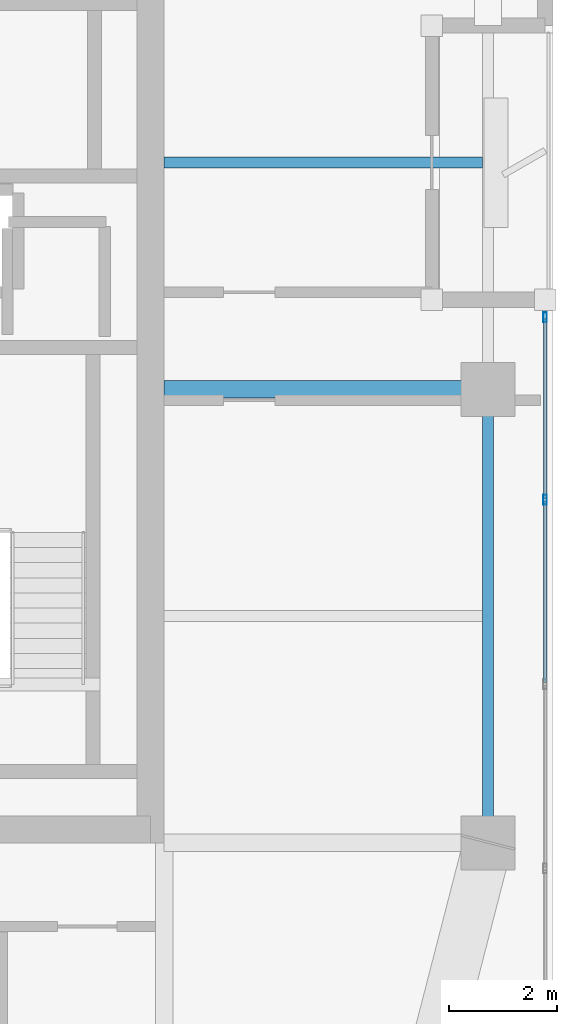
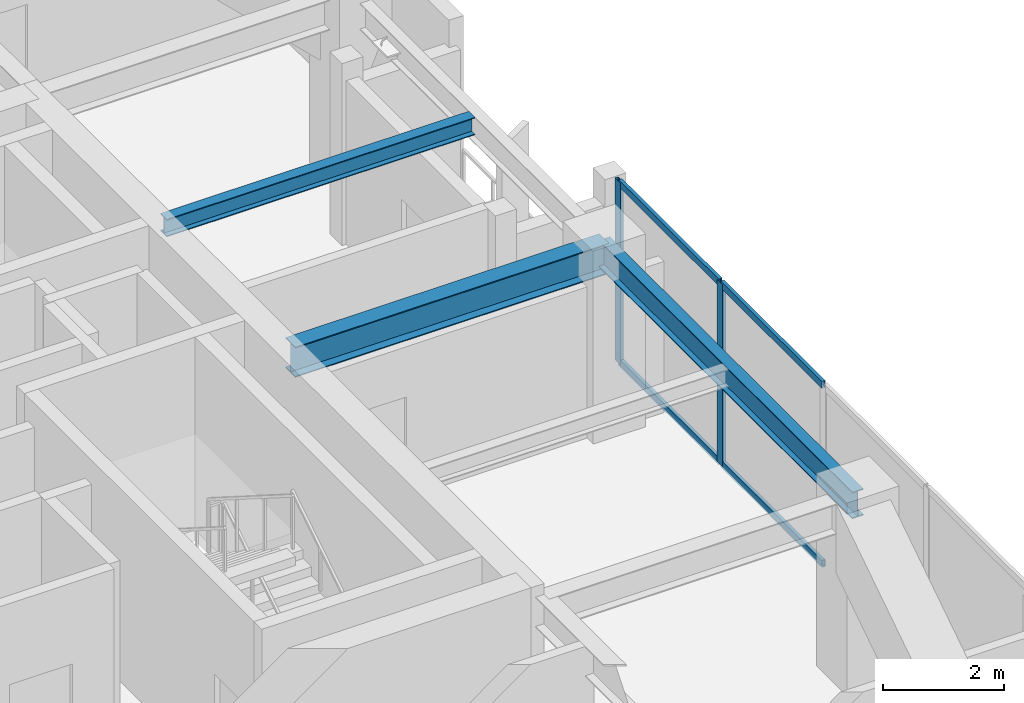
# One storey, part 6 of 16: 6 members, 3 beams, 1 element without a shape of its own.
"""IFC4 building model written with IfcOpenShell, lengths in metres."""

from ifc_helpers import new_model, si_unit, direction, frame, origin, origin_2d, place, context, subcontext, project, spatial, hollow_rectangle, i_section, extrude, material, layer, layer_set, material_profile, profile_set, type_object, element, aggregate, save


model = new_model("IFC4")

# Units and contexts
model_context = context("Model", 3, precision=1e-05, world=origin(), true_north=direction((0.0, 1.0)))
body_context = subcontext(model_context, "Body", "Model", "MODEL_VIEW")
ifc_project = project(units=[si_unit("LENGTHUNIT", "METRE"), si_unit("AREAUNIT", "SQUARE_METRE"), si_unit("VOLUMEUNIT", "CUBIC_METRE"), si_unit("PLANEANGLEUNIT", "RADIAN"), si_unit("MASSUNIT", "GRAM", prefix="KILO")], contexts=[model_context])

# Site, building, storey
site_placement = place(None, origin())
site = spatial("IfcSite", under=ifc_project, at=site_placement, CompositionType="ELEMENT")
building_placement = place(site_placement, origin())
building = spatial("IfcBuilding", under=site, at=building_placement, Name="Kiyonajd Concourse Tower", CompositionType="ELEMENT")
storey_placement = place(building_placement, frame((0.0, 0.0, 298.5)))
storey = spatial("IfcBuildingStorey", under=building, at=storey_placement, Name="L75", CompositionType="ELEMENT", Elevation=298.5)

# Beams
ifc_material_1 = material(Name="Steel ASTM A992 Grade 50", Category="steel")
ifc_material_profile_1 = material_profile(ifc_material_1, i_section(OverallWidth=0.205078125, OverallDepth=0.35400390625, WebThickness=0.009521484375, FlangeThickness=0.016845703125, at=origin_2d()), Name="W360X79")
ifc_profile_set_1 = profile_set([ifc_material_profile_1], Name="Steel ASTM A992 Grade 50")
beam_type_1 = type_object("IfcBeamType", Name="BM-JST-360", PredefinedType="JOIST", material=ifc_profile_set_1)
beam_1_placement = place(storey_placement, frame((63.60009765625, 40.199951171875, 3.5029296875), z_axis=(1.0, 0.0, 0.0), x_axis=(0.0, 1.0, 0.0)))
element("IfcBeam", 1, at=beam_1_placement, inside=storey, type_object=beam_type_1, Name="L75 East Secondary Floor Joist", PredefinedType="JOIST", context=body_context, shape_type="SweptSolid", body=[
    extrude(i_section(OverallWidth=0.205078125, OverallDepth=0.35400390625, WebThickness=0.009521484375, FlangeThickness=0.016845703125, at=origin_2d()), origin(), (0.0, 0.0, 1.0), 5.894287109375),
])
ifc_material_profile_2 = material_profile(ifc_material_1, i_section(OverallWidth=0.2109375, OverallDepth=0.5390625, WebThickness=0.01171875, FlangeThickness=0.018798828125, at=origin_2d()), Name="W530X109")
ifc_profile_set_2 = profile_set([ifc_material_profile_2], Name="Steel ASTM A992 Grade 50")
beam_type_2 = type_object("IfcBeamType", Name="BM-SPAN-530B", PredefinedType="SPANDREL", material=ifc_profile_set_2)
beam_2_placement = place(storey_placement, frame((69.60009765625, 27.60009765625, 3.410400390625), z_axis=(0.0, 1.0, 0.0), x_axis=(-1.0, 0.0, 0.0)))
element("IfcBeam", 2, at=beam_2_placement, inside=storey, type_object=beam_type_2, Name="L75 Perimeter Bundled Tube Spandrel", PredefinedType="SPANDREL", context=body_context, shape_type="SweptSolid", body=[
    extrude(i_section(OverallWidth=0.2109375, OverallDepth=0.5390625, WebThickness=0.01171875, FlangeThickness=0.018798828125, at=origin_2d()), origin(), (0.0, 0.0, 1.0), 8.39990234375),
])
ifc_material_profile_3 = material_profile(ifc_material_1, i_section(OverallWidth=0.323974609375, OverallDepth=0.611083984375, WebThickness=0.0126953125, FlangeThickness=0.01904296875, at=origin_2d()), Name="W610X155")
ifc_profile_set_3 = profile_set([ifc_material_profile_3], Name="Steel ASTM A992 Grade 50")
beam_type_3 = type_object("IfcBeamType", Name="BM-TWR-610B", PredefinedType="BEAM", material=ifc_profile_set_3)
beam_3_placement = place(storey_placement, frame((63.60009765625, 36.0, 3.37451171875), z_axis=(1.0, 0.0, 0.0), x_axis=(0.0, 1.0, 0.0)))
element("IfcBeam", 3, at=beam_3_placement, inside=storey, type_object=beam_type_3, Name="L75 East Lease Girder", PredefinedType="BEAM", context=body_context, shape_type="SweptSolid", body=[
    extrude(i_section(OverallWidth=0.323974609375, OverallDepth=0.611083984375, WebThickness=0.0126953125, FlangeThickness=0.01904296875, at=origin_2d()), origin(), (0.0, 0.0, 1.0), 6.0),
])

# Curtain wall, members
ifc_material_2 = material(Name="Thermally Broken Anodised Aluminium", Category="aluminium")
ifc_layer = layer(ifc_material_2, 0.179931640625)
ifc_layer_set = layer_set([ifc_layer], Name="Thermally Broken Anodised Aluminium")
curtain_wall_type = type_object("IfcCurtainWallType", Name="CW-SYS-04", PredefinedType="NOTDEFINED", material=ifc_layer_set)
curtain_wall_placement = place(storey_placement, origin())
curtain_wall = element("IfcCurtainWall", 4, at=curtain_wall_placement, inside=storey, type_object=curtain_wall_type, Name="L75 Unitised Curtain Wall CW4", PredefinedType="NOTDEFINED")
ifc_material_profile_4 = material_profile(ifc_material_2, hollow_rectangle(XDim=0.06494140625, YDim=0.179931640625, WallThickness=0.00390625, at=origin_2d()), Name="MULL-65x180")
ifc_profile_set_4 = profile_set([ifc_material_profile_4], Name="Thermally Broken Anodised Aluminium")
member_type_1 = type_object("IfcMemberType", Name="MB-CW-MULL1", PredefinedType="MULLION", material=ifc_profile_set_4)
member_1_placement = place(storey_placement, frame((70.659912109375, 37.33740234375, 0.0), z_axis=(0.0, 0.0, 1.0), x_axis=(1.0, 0.0, 0.0)))
member_1 = element("IfcMember", 5, at=member_1_placement, type_object=member_type_1, Name="CW4 mullion 1", PredefinedType="MULLION", context=body_context, shape_type="SweptSolid", body=[
    extrude(hollow_rectangle(XDim=0.06494140625, YDim=0.179931640625, WallThickness=0.00390625, at=origin_2d()), origin(), (0.0, 0.0, 1.0), 3.679931640625),
])
member_2_placement = place(storey_placement, frame((70.659912109375, 33.95458984375, 0.0), z_axis=(0.0, 0.0, 1.0), x_axis=(1.0, 0.0, 0.0)))
member_2 = element("IfcMember", 6, at=member_2_placement, type_object=member_type_1, Name="CW4 mullion 2", PredefinedType="MULLION", context=body_context, shape_type="SweptSolid", body=[
    extrude(hollow_rectangle(XDim=0.06494140625, YDim=0.179931640625, WallThickness=0.00390625, at=origin_2d()), origin(), (0.0, 0.0, 1.0), 3.679931640625),
])
ifc_material_profile_5 = material_profile(ifc_material_2, hollow_rectangle(XDim=0.06494140625, YDim=0.139892578125, WallThickness=0.00390625, at=origin_2d()), Name="TRAN-65x140")
ifc_profile_set_5 = profile_set([ifc_material_profile_5], Name="Thermally Broken Anodised Aluminium")
member_type_2 = type_object("IfcMemberType", Name="MB-CW-TRAN1", PredefinedType="USERDEFINED", material=ifc_profile_set_5)
member_3_placement = place(storey_placement, frame((70.659912109375, 37.304931640625, 0.032470703125), z_axis=(0.0, -1.0, 0.0), x_axis=(1.0, 0.0, 0.0)))
member_3 = element("IfcMember", 7, at=member_3_placement, type_object=member_type_2, Name="CW4 transom 1.1", ObjectType="TRANSOM", PredefinedType="USERDEFINED", context=body_context, shape_type="SweptSolid", body=[
    extrude(hollow_rectangle(XDim=0.06494140625, YDim=0.139892578125, WallThickness=0.00390625, at=origin_2d()), origin(), (0.0, 0.0, 1.0), 3.31787109375),
])
member_4_placement = place(storey_placement, frame((70.659912109375, 37.304931640625, 3.6474609375), z_axis=(0.0, -1.0, 0.0), x_axis=(1.0, 0.0, 0.0)))
member_4 = element("IfcMember", 8, at=member_4_placement, type_object=member_type_2, Name="CW4 transom 1.2", ObjectType="TRANSOM", PredefinedType="USERDEFINED", context=body_context, shape_type="SweptSolid", body=[
    extrude(hollow_rectangle(XDim=0.06494140625, YDim=0.139892578125, WallThickness=0.00390625, at=origin_2d()), origin(), (0.0, 0.0, 1.0), 3.31787109375),
])
member_5_placement = place(storey_placement, frame((70.659912109375, 33.922119140625, 0.032470703125), z_axis=(0.0, -1.0, 0.0), x_axis=(1.0, 0.0, 0.0)))
member_5 = element("IfcMember", 9, at=member_5_placement, type_object=member_type_2, Name="CW4 transom 2.1", ObjectType="TRANSOM", PredefinedType="USERDEFINED", context=body_context, shape_type="SweptSolid", body=[
    extrude(hollow_rectangle(XDim=0.06494140625, YDim=0.139892578125, WallThickness=0.00390625, at=origin_2d()), origin(), (0.0, 0.0, 1.0), 3.350341796875),
])
member_6_placement = place(storey_placement, frame((70.659912109375, 33.922119140625, 3.6474609375), z_axis=(0.0, -1.0, 0.0), x_axis=(1.0, 0.0, 0.0)))
member_6 = element("IfcMember", 10, at=member_6_placement, type_object=member_type_2, Name="CW4 transom 2.2", ObjectType="TRANSOM", PredefinedType="USERDEFINED", context=body_context, shape_type="SweptSolid", body=[
    extrude(hollow_rectangle(XDim=0.06494140625, YDim=0.139892578125, WallThickness=0.00390625, at=origin_2d()), origin(), (0.0, 0.0, 1.0), 3.350341796875),
])
aggregate(curtain_wall, [member_1, member_2, member_3, member_4, member_5, member_6])

save(model, "model.ifc")
